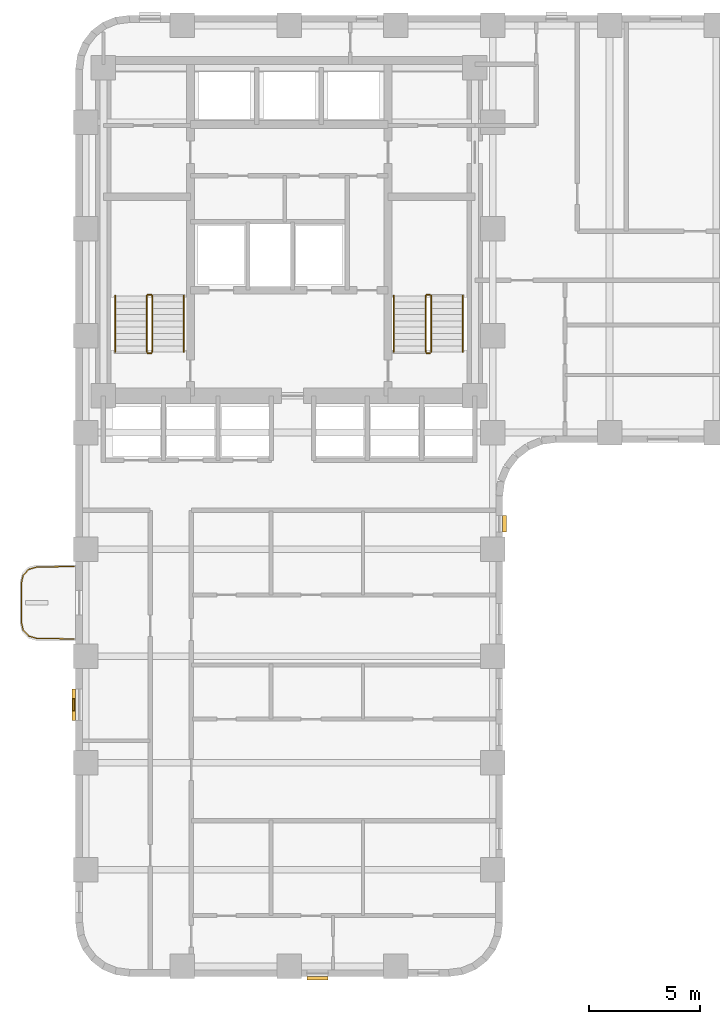
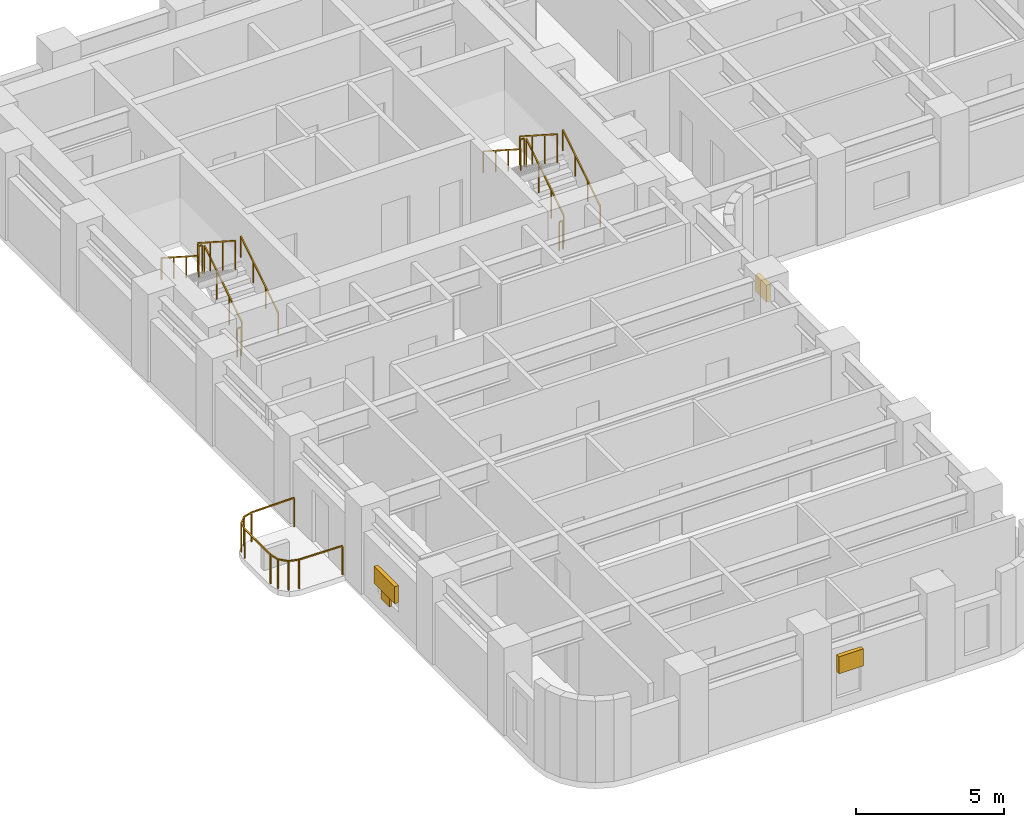
# One storey, part 8 of 10: 13 railings, 4 shading devices.
"""IFC4 building model written with IfcOpenShell, lengths in metres."""

from ifc_helpers import new_model, si_unit, direction, frame, origin, origin_2d, place, context, subcontext, project, spatial, rectangle, extrude, material, type_object, element, save


model = new_model("IFC4")

# Units and contexts
model_context = context("Model", 3, precision=1e-05, world=origin(), true_north=direction((0.0, 1.0)))
body_context = subcontext(model_context, "Body", "Model", "MODEL_VIEW")
ifc_project = project(units=[si_unit("LENGTHUNIT", "METRE"), si_unit("AREAUNIT", "SQUARE_METRE"), si_unit("VOLUMEUNIT", "CUBIC_METRE"), si_unit("PLANEANGLEUNIT", "RADIAN"), si_unit("MASSUNIT", "GRAM", prefix="KILO")], contexts=[model_context])

# Site, building, storey
site_placement = place(None, origin())
site = spatial("IfcSite", under=ifc_project, at=site_placement, CompositionType="ELEMENT")
building_placement = place(site_placement, origin())
building = spatial("IfcBuilding", under=site, at=building_placement, Name="Orvandelia Arch Residences", CompositionType="ELEMENT")
storey_placement = place(building_placement, frame((0.0, 0.0, 68.199951171875)))
storey = spatial("IfcBuildingStorey", under=building, at=storey_placement, Name="L17", CompositionType="ELEMENT", Elevation=68.199951171875)

# Railings
ifc_material_1 = material(Name="Marine-Grade Stainless Steel 316", Category="steel")
railing_type_1 = type_object("IfcRailingType", Name="GRD-BAL-1200", PredefinedType="BALUSTRADE", material=ifc_material_1)
railing_1_placement = place(storey_placement, frame((4.728271484375, 23.23046875, 0.0)))
element("IfcRailing", 1, at=railing_1_placement, inside=storey, type_object=railing_type_1, Name="Safety Balustrade Guard GRD-L17-BAL-L17-W1-1", PredefinedType="BALUSTRADE", context=body_context, shape_type="SweptSolid", body=[
    extrude(rectangle(XDim=0.048095703125, YDim=0.048095703125, at=origin_2d()), frame((0.0, 0.0, 1.19580078125), z_axis=(-0.999834751713, -0.018178813668, 0.0), x_axis=(0.018178813668, -0.999834751713, 0.0)), (0.0, 0.0, 1.0), 1.6787109375),
    extrude(rectangle(XDim=0.048095703125, YDim=0.048095703125, at=origin_2d()), frame((-1.678466796875, -0.030517578125, 1.19580078125), z_axis=(-0.96348920644, -0.267747173792, 0.0), x_axis=(0.267747173792, -0.96348920644, 0.0)), (0.0, 0.0, 1.0), 0.36572265625),
    extrude(rectangle(XDim=0.048095703125, YDim=0.048095703125, at=origin_2d()), frame((-2.03076171875, -0.12841796875, 1.19580078125), z_axis=(-0.688627404251, -0.725115368831, 0.0), x_axis=(0.725115368831, -0.688627404251, 0.0)), (0.0, 0.0, 1.0), 0.367919921875),
    extrude(rectangle(XDim=0.048095703125, YDim=0.048095703125, at=origin_2d()), frame((-2.2841796875, -0.395263671875, 1.19580078125), z_axis=(-0.220461657419, -0.975395641577, 0.0), x_axis=(0.975395641577, -0.220461657419, 0.0)), (0.0, 0.0, 1.0), 0.373291015625),
    extrude(rectangle(XDim=0.048095703125, YDim=0.048095703125, at=origin_2d()), frame((-2.366455078125, -0.75927734375, 1.19580078125), z_axis=(0.0, -1.0, 0.0), x_axis=(1.0, 0.0, 0.0)), (0.0, 0.0, 1.0), 1.742431640625),
    extrude(rectangle(XDim=0.048095703125, YDim=0.048095703125, at=origin_2d()), frame((-2.366455078125, -2.501708984375, 1.19580078125), z_axis=(0.220602419982, -0.975363815352, 0.0), x_axis=(0.975363815352, 0.220602419982, 0.0)), (0.0, 0.0, 1.0), 0.373046875),
    extrude(rectangle(XDim=0.048095703125, YDim=0.048095703125, at=origin_2d()), frame((-2.2841796875, -2.865478515625, 1.19580078125), z_axis=(0.688296224633, -0.725429739642, 0.0), x_axis=(0.725429739642, 0.688296224633, 0.0)), (0.0, 0.0, 1.0), 0.3681640625),
    extrude(rectangle(XDim=0.048095703125, YDim=0.048095703125, at=origin_2d()), frame((-2.03076171875, -3.132568359375, 1.19580078125), z_axis=(0.96348920644, -0.267747173792, 0.0), x_axis=(0.267747173792, 0.96348920644, 0.0)), (0.0, 0.0, 1.0), 0.36572265625),
    extrude(rectangle(XDim=0.048095703125, YDim=0.048095703125, at=origin_2d()), frame((-1.678466796875, -3.23046875, 1.19580078125), z_axis=(0.999834751713, -0.018178813668, 0.0), x_axis=(0.018178813668, 0.999834751713, 0.0)), (0.0, 0.0, 1.0), 1.6787109375),
    extrude(rectangle(XDim=0.0419921875, YDim=0.0419921875, at=origin_2d()), origin(), (0.0, 0.0, 1.0), 1.171875),
    extrude(rectangle(XDim=0.0419921875, YDim=0.0419921875, at=origin_2d()), frame((-1.678466796875, -0.030517578125, 0.0)), (0.0, 0.0, 1.0), 1.171875),
    extrude(rectangle(XDim=0.0419921875, YDim=0.0419921875, at=origin_2d()), frame((-2.03076171875, -0.12841796875, 0.0)), (0.0, 0.0, 1.0), 1.171875),
    extrude(rectangle(XDim=0.0419921875, YDim=0.0419921875, at=origin_2d()), frame((-2.2841796875, -0.395263671875, 0.0)), (0.0, 0.0, 1.0), 1.171875),
    extrude(rectangle(XDim=0.0419921875, YDim=0.0419921875, at=origin_2d()), frame((-2.366455078125, -0.75927734375, 0.0)), (0.0, 0.0, 1.0), 1.171875),
    extrude(rectangle(XDim=0.0419921875, YDim=0.0419921875, at=origin_2d()), frame((-2.366455078125, -2.501708984375, 0.0)), (0.0, 0.0, 1.0), 1.171875),
    extrude(rectangle(XDim=0.0419921875, YDim=0.0419921875, at=origin_2d()), frame((-2.2841796875, -2.865478515625, 0.0)), (0.0, 0.0, 1.0), 1.171875),
    extrude(rectangle(XDim=0.0419921875, YDim=0.0419921875, at=origin_2d()), frame((-2.03076171875, -3.132568359375, 0.0)), (0.0, 0.0, 1.0), 1.171875),
    extrude(rectangle(XDim=0.0419921875, YDim=0.0419921875, at=origin_2d()), frame((-1.678466796875, -3.23046875, 0.0)), (0.0, 0.0, 1.0), 1.171875),
    extrude(rectangle(XDim=0.0419921875, YDim=0.0419921875, at=origin_2d()), frame((0.0, -3.260986328125, 0.0)), (0.0, 0.0, 1.0), 1.171875),
])
ifc_material_2 = material(Name="Brushed Stainless Steel 304", Category="steel")
railing_type_2 = type_object("IfcRailingType", Name="RL-STAIR-GD1120", PredefinedType="GUARDRAIL", material=ifc_material_2)
railing_2_placement = place(storey_placement, frame((8.25, 32.8701171875, 0.179931640625)))
element("IfcRailing", 2, at=railing_2_placement, inside=storey, type_object=railing_type_2, Name="L17 ST-1 stair guard 1", PredefinedType="GUARDRAIL", context=body_context, shape_type="SweptSolid", body=[
    extrude(rectangle(XDim=0.048095703125, YDim=0.048095703125, at=origin_2d()), frame((0.0, 0.0, 1.17578125), z_axis=(0.0, 0.841138753965, 0.540819375188), x_axis=(-1.0, 0.0, 0.0)), (0.0, 0.0, 1.0), 2.99560546875),
    extrude(rectangle(XDim=0.0419921875, YDim=0.0419921875, at=origin_2d()), origin(), (0.0, 0.0, 1.0), 1.15185546875),
    extrude(rectangle(XDim=0.0419921875, YDim=0.0419921875, at=origin_2d()), frame((0.0, 0.83984375, 0.5400390625)), (0.0, 0.0, 1.0), 1.15185546875),
    extrude(rectangle(XDim=0.0419921875, YDim=0.0419921875, at=origin_2d()), frame((0.0, 1.679931640625, 1.080078125)), (0.0, 0.0, 1.0), 1.15185546875),
    extrude(rectangle(XDim=0.0419921875, YDim=0.0419921875, at=origin_2d()), frame((0.0, 2.519775390625, 1.6201171875)), (0.0, 0.0, 1.0), 1.15185546875),
])
railing_3_placement = place(storey_placement, frame((8.199951171875, 35.43994140625, 1.800048828125)))
element("IfcRailing", 3, at=railing_3_placement, inside=storey, type_object=railing_type_2, Name="L17 ST-1 stair guard 2", PredefinedType="GUARDRAIL", context=body_context, shape_type="SweptSolid", body=[
    extrude(rectangle(XDim=0.048095703125, YDim=0.048095703125, at=origin_2d()), frame((0.0, 0.0, 1.17578125), z_axis=(-1.0, 0.0, 0.0), x_axis=(0.0, -1.0, 0.0)), (0.0, 0.0, 1.0), 0.14990234375),
    extrude(rectangle(XDim=0.0419921875, YDim=0.0419921875, at=origin_2d()), origin(), (0.0, 0.0, 1.0), 1.15185546875),
    extrude(rectangle(XDim=0.0419921875, YDim=0.0419921875, at=origin_2d()), frame((-0.14990234375, 0.0, 0.0)), (0.0, 0.0, 1.0), 1.15185546875),
])
railing_4_placement = place(storey_placement, frame((8.0, 35.389892578125, 1.97998046875)))
element("IfcRailing", 4, at=railing_4_placement, inside=storey, type_object=railing_type_2, Name="L17 ST-1 stair guard 3", PredefinedType="GUARDRAIL", context=body_context, shape_type="SweptSolid", body=[
    extrude(rectangle(XDim=0.048095703125, YDim=0.048095703125, at=origin_2d()), frame((0.0, 0.0, 1.17578125), z_axis=(0.0, -0.841138753965, 0.540819375188), x_axis=(1.0, 0.0, 0.0)), (0.0, 0.0, 1.0), 2.99560546875),
    extrude(rectangle(XDim=0.0419921875, YDim=0.0419921875, at=origin_2d()), origin(), (0.0, 0.0, 1.0), 1.15185546875),
    extrude(rectangle(XDim=0.0419921875, YDim=0.0419921875, at=origin_2d()), frame((0.0, -0.83984375, 0.5400390625)), (0.0, 0.0, 1.0), 1.15185546875),
    extrude(rectangle(XDim=0.0419921875, YDim=0.0419921875, at=origin_2d()), frame((0.0, -1.679931640625, 1.080078125)), (0.0, 0.0, 1.0), 1.15185546875),
    extrude(rectangle(XDim=0.0419921875, YDim=0.0419921875, at=origin_2d()), frame((0.0, -2.519775390625, 1.6201171875)), (0.0, 0.0, 1.0), 1.15185546875),
])
railing_5_placement = place(storey_placement, frame((8.199951171875, 32.820068359375, 0.0)))
element("IfcRailing", 5, at=railing_5_placement, inside=storey, type_object=railing_type_2, Name="L17 ST-1 stair guard 4", PredefinedType="GUARDRAIL", context=body_context, shape_type="SweptSolid", body=[
    extrude(rectangle(XDim=0.048095703125, YDim=0.048095703125, at=origin_2d()), frame((0.0, 0.0, 1.17578125), z_axis=(-1.0, 0.0, 0.0), x_axis=(0.0, -1.0, 0.0)), (0.0, 0.0, 1.0), 0.14990234375),
    extrude(rectangle(XDim=0.0419921875, YDim=0.0419921875, at=origin_2d()), origin(), (0.0, 0.0, 1.0), 1.15185546875),
    extrude(rectangle(XDim=0.0419921875, YDim=0.0419921875, at=origin_2d()), frame((-0.14990234375, 0.0, 0.0)), (0.0, 0.0, 1.0), 1.15185546875),
])
railing_6_placement = place(storey_placement, frame((20.780029296875, 32.8701171875, 0.179931640625)))
element("IfcRailing", 6, at=railing_6_placement, inside=storey, type_object=railing_type_2, Name="L17 ST-2 stair guard 1", PredefinedType="GUARDRAIL", context=body_context, shape_type="SweptSolid", body=[
    extrude(rectangle(XDim=0.048095703125, YDim=0.048095703125, at=origin_2d()), frame((0.0, 0.0, 1.17578125), z_axis=(0.0, 0.841138753965, 0.540819375188), x_axis=(-1.0, 0.0, 0.0)), (0.0, 0.0, 1.0), 2.99560546875),
    extrude(rectangle(XDim=0.0419921875, YDim=0.0419921875, at=origin_2d()), origin(), (0.0, 0.0, 1.0), 1.15185546875),
    extrude(rectangle(XDim=0.0419921875, YDim=0.0419921875, at=origin_2d()), frame((0.0, 0.83984375, 0.5400390625)), (0.0, 0.0, 1.0), 1.15185546875),
    extrude(rectangle(XDim=0.0419921875, YDim=0.0419921875, at=origin_2d()), frame((0.0, 1.679931640625, 1.080078125)), (0.0, 0.0, 1.0), 1.15185546875),
    extrude(rectangle(XDim=0.0419921875, YDim=0.0419921875, at=origin_2d()), frame((0.0, 2.519775390625, 1.6201171875)), (0.0, 0.0, 1.0), 1.15185546875),
])
railing_7_placement = place(storey_placement, frame((20.72998046875, 35.43994140625, 1.800048828125)))
element("IfcRailing", 7, at=railing_7_placement, inside=storey, type_object=railing_type_2, Name="L17 ST-2 stair guard 2", PredefinedType="GUARDRAIL", context=body_context, shape_type="SweptSolid", body=[
    extrude(rectangle(XDim=0.048095703125, YDim=0.048095703125, at=origin_2d()), frame((0.0, 0.0, 1.17578125), z_axis=(-1.0, 0.0, 0.0), x_axis=(0.0, -1.0, 0.0)), (0.0, 0.0, 1.0), 0.14990234375),
    extrude(rectangle(XDim=0.0419921875, YDim=0.0419921875, at=origin_2d()), origin(), (0.0, 0.0, 1.0), 1.15185546875),
    extrude(rectangle(XDim=0.0419921875, YDim=0.0419921875, at=origin_2d()), frame((-0.14990234375, 0.0, 0.0)), (0.0, 0.0, 1.0), 1.15185546875),
])
railing_8_placement = place(storey_placement, frame((20.530029296875, 35.389892578125, 1.97998046875)))
element("IfcRailing", 8, at=railing_8_placement, inside=storey, type_object=railing_type_2, Name="L17 ST-2 stair guard 3", PredefinedType="GUARDRAIL", context=body_context, shape_type="SweptSolid", body=[
    extrude(rectangle(XDim=0.048095703125, YDim=0.048095703125, at=origin_2d()), frame((0.0, 0.0, 1.17578125), z_axis=(0.0, -0.841138753965, 0.540819375188), x_axis=(1.0, 0.0, 0.0)), (0.0, 0.0, 1.0), 2.99560546875),
    extrude(rectangle(XDim=0.0419921875, YDim=0.0419921875, at=origin_2d()), origin(), (0.0, 0.0, 1.0), 1.15185546875),
    extrude(rectangle(XDim=0.0419921875, YDim=0.0419921875, at=origin_2d()), frame((0.0, -0.83984375, 0.5400390625)), (0.0, 0.0, 1.0), 1.15185546875),
    extrude(rectangle(XDim=0.0419921875, YDim=0.0419921875, at=origin_2d()), frame((0.0, -1.679931640625, 1.080078125)), (0.0, 0.0, 1.0), 1.15185546875),
    extrude(rectangle(XDim=0.0419921875, YDim=0.0419921875, at=origin_2d()), frame((0.0, -2.519775390625, 1.6201171875)), (0.0, 0.0, 1.0), 1.15185546875),
])
railing_9_placement = place(storey_placement, frame((20.72998046875, 32.820068359375, 0.0)))
element("IfcRailing", 9, at=railing_9_placement, inside=storey, type_object=railing_type_2, Name="L17 ST-2 stair guard 4", PredefinedType="GUARDRAIL", context=body_context, shape_type="SweptSolid", body=[
    extrude(rectangle(XDim=0.048095703125, YDim=0.048095703125, at=origin_2d()), frame((0.0, 0.0, 1.17578125), z_axis=(-1.0, 0.0, 0.0), x_axis=(0.0, -1.0, 0.0)), (0.0, 0.0, 1.0), 0.14990234375),
    extrude(rectangle(XDim=0.0419921875, YDim=0.0419921875, at=origin_2d()), origin(), (0.0, 0.0, 1.0), 1.15185546875),
    extrude(rectangle(XDim=0.0419921875, YDim=0.0419921875, at=origin_2d()), frame((-0.14990234375, 0.0, 0.0)), (0.0, 0.0, 1.0), 1.15185546875),
])
railing_type_3 = type_object("IfcRailingType", Name="RL-STAIR-HR920", PredefinedType="HANDRAIL", material=ifc_material_2)
railing_10_placement = place(storey_placement, frame((9.669921875, 32.8701171875, 0.360107421875)))
element("IfcRailing", 10, at=railing_10_placement, inside=storey, type_object=railing_type_3, Name="L17 ST-1 stair handrail 1", PredefinedType="HANDRAIL", context=body_context, shape_type="SweptSolid", body=[
    extrude(rectangle(XDim=0.048095703125, YDim=0.048095703125, at=origin_2d()), frame((0.0, 0.0, 0.8759765625), z_axis=(0.0, 0.841175827307, 0.540761710511), x_axis=(-1.0, 0.0, 0.0)), (0.0, 0.0, 1.0), 2.99560546875),
    extrude(rectangle(XDim=0.0419921875, YDim=0.0419921875, at=origin_2d()), origin(), (0.0, 0.0, 1.0), 0.851806640625),
    extrude(rectangle(XDim=0.0419921875, YDim=0.0419921875, at=origin_2d()), frame((0.0, 0.83984375, 0.5400390625)), (0.0, 0.0, 1.0), 0.851806640625),
    extrude(rectangle(XDim=0.0419921875, YDim=0.0419921875, at=origin_2d()), frame((0.0, 1.679931640625, 1.079833984375)), (0.0, 0.0, 1.0), 0.851806640625),
    extrude(rectangle(XDim=0.0419921875, YDim=0.0419921875, at=origin_2d()), frame((0.0, 2.519775390625, 1.619873046875)), (0.0, 0.0, 1.0), 0.851806640625),
])
railing_11_placement = place(storey_placement, frame((6.580078125, 35.389892578125, 2.16015625)))
element("IfcRailing", 11, at=railing_11_placement, inside=storey, type_object=railing_type_3, Name="L17 ST-1 stair handrail 2", PredefinedType="HANDRAIL", context=body_context, shape_type="SweptSolid", body=[
    extrude(rectangle(XDim=0.048095703125, YDim=0.048095703125, at=origin_2d()), frame((0.0, 0.0, 0.8759765625), z_axis=(0.0, -0.841175827307, 0.540761710511), x_axis=(1.0, 0.0, 0.0)), (0.0, 0.0, 1.0), 2.99560546875),
    extrude(rectangle(XDim=0.0419921875, YDim=0.0419921875, at=origin_2d()), origin(), (0.0, 0.0, 1.0), 0.851806640625),
    extrude(rectangle(XDim=0.0419921875, YDim=0.0419921875, at=origin_2d()), frame((0.0, -0.83984375, 0.5400390625)), (0.0, 0.0, 1.0), 0.851806640625),
    extrude(rectangle(XDim=0.0419921875, YDim=0.0419921875, at=origin_2d()), frame((0.0, -1.679931640625, 1.079833984375)), (0.0, 0.0, 1.0), 0.851806640625),
    extrude(rectangle(XDim=0.0419921875, YDim=0.0419921875, at=origin_2d()), frame((0.0, -2.519775390625, 1.619873046875)), (0.0, 0.0, 1.0), 0.851806640625),
])
railing_12_placement = place(storey_placement, frame((22.199951171875, 32.8701171875, 0.360107421875)))
element("IfcRailing", 12, at=railing_12_placement, inside=storey, type_object=railing_type_3, Name="L17 ST-2 stair handrail 1", PredefinedType="HANDRAIL", context=body_context, shape_type="SweptSolid", body=[
    extrude(rectangle(XDim=0.048095703125, YDim=0.048095703125, at=origin_2d()), frame((0.0, 0.0, 0.8759765625), z_axis=(0.0, 0.841175827307, 0.540761710511), x_axis=(-1.0, 0.0, 0.0)), (0.0, 0.0, 1.0), 2.99560546875),
    extrude(rectangle(XDim=0.0419921875, YDim=0.0419921875, at=origin_2d()), origin(), (0.0, 0.0, 1.0), 0.851806640625),
    extrude(rectangle(XDim=0.0419921875, YDim=0.0419921875, at=origin_2d()), frame((0.0, 0.83984375, 0.5400390625)), (0.0, 0.0, 1.0), 0.851806640625),
    extrude(rectangle(XDim=0.0419921875, YDim=0.0419921875, at=origin_2d()), frame((0.0, 1.679931640625, 1.079833984375)), (0.0, 0.0, 1.0), 0.851806640625),
    extrude(rectangle(XDim=0.0419921875, YDim=0.0419921875, at=origin_2d()), frame((0.0, 2.519775390625, 1.619873046875)), (0.0, 0.0, 1.0), 0.851806640625),
])
railing_13_placement = place(storey_placement, frame((19.110107421875, 35.389892578125, 2.16015625)))
element("IfcRailing", 13, at=railing_13_placement, inside=storey, type_object=railing_type_3, Name="L17 ST-2 stair handrail 2", PredefinedType="HANDRAIL", context=body_context, shape_type="SweptSolid", body=[
    extrude(rectangle(XDim=0.048095703125, YDim=0.048095703125, at=origin_2d()), frame((0.0, 0.0, 0.8759765625), z_axis=(0.0, -0.841175827307, 0.540761710511), x_axis=(1.0, 0.0, 0.0)), (0.0, 0.0, 1.0), 2.99560546875),
    extrude(rectangle(XDim=0.0419921875, YDim=0.0419921875, at=origin_2d()), origin(), (0.0, 0.0, 1.0), 0.851806640625),
    extrude(rectangle(XDim=0.0419921875, YDim=0.0419921875, at=origin_2d()), frame((0.0, -0.83984375, 0.5400390625)), (0.0, 0.0, 1.0), 0.851806640625),
    extrude(rectangle(XDim=0.0419921875, YDim=0.0419921875, at=origin_2d()), frame((0.0, -1.679931640625, 1.079833984375)), (0.0, 0.0, 1.0), 0.851806640625),
    extrude(rectangle(XDim=0.0419921875, YDim=0.0419921875, at=origin_2d()), frame((0.0, -2.519775390625, 1.619873046875)), (0.0, 0.0, 1.0), 0.851806640625),
])

# Shading devices
ifc_material_3 = material(Name="Anodised Champagne-Bronze Extruded Aluminium", Category="aluminium")
shading_device_type_1 = type_object("IfcShadingDeviceType", Name="SHD-JALOUSIE-SCREEN", PredefinedType="JALOUSIE", material=ifc_material_3)
shading_device_1_placement = place(storey_placement, frame((24.080078125, 25.14501953125, 1.55029296875), z_axis=(0.0, 0.0, 1.0), x_axis=(0.0, -1.0, 0.0)))
element("IfcShadingDevice", 14, at=shading_device_1_placement, inside=storey, type_object=shading_device_type_1, Name="Bronze Jalousie Sun-Shade L17-007", PredefinedType="JALOUSIE", context=body_context, shape_type="SweptSolid", body=[
    extrude(rectangle(XDim=0.75, YDim=0.159912109375, at=origin_2d()), origin(), (0.0, 0.0, 1.0), 0.699951171875),
])
shading_device_2_placement = place(storey_placement, frame((15.674560546875, 4.719970703125, 1.55029296875), z_axis=(0.0, 0.0, 1.0), x_axis=(-1.0, 0.0, 0.0)))
element("IfcShadingDevice", 15, at=shading_device_2_placement, inside=storey, type_object=shading_device_type_1, Name="Bronze Jalousie Sun-Shade L17-008", PredefinedType="JALOUSIE", context=body_context, shape_type="SweptSolid", body=[
    extrude(rectangle(XDim=0.949951171875, YDim=0.159912109375, at=origin_2d()), origin(), (0.0, 0.0, 1.0), 0.699951171875),
])
shading_device_3_placement = place(storey_placement, frame((4.719970703125, 17.014892578125, 1.05029296875), z_axis=(0.0, 0.0, 1.0), x_axis=(0.0, 1.0, 0.0)))
element("IfcShadingDevice", 16, at=shading_device_3_placement, inside=storey, type_object=shading_device_type_1, Name="Bronze Jalousie Sun-Shade L17-009", PredefinedType="JALOUSIE", context=body_context, shape_type="SweptSolid", body=[
    extrude(rectangle(XDim=1.39990234375, YDim=0.159912109375, at=origin_2d()), origin(), (0.0, 0.0, 1.0), 0.699951171875),
])
ifc_material_4 = material(Name="Marine-Grade Perforated Aluminium Storm Shutter", Category="aluminium")
shading_device_type_2 = type_object("IfcShadingDeviceType", Name="SHD-STORM-SHUTTER", PredefinedType="SHUTTER", material=ifc_material_4)
shading_device_4_placement = place(storey_placement, frame((4.719970703125, 17.014892578125, 0.64990234375), z_axis=(0.0, 0.0, 1.0), x_axis=(0.0, 1.0, 0.0)))
element("IfcShadingDevice", 17, at=shading_device_4_placement, inside=storey, type_object=shading_device_type_2, Name="Operable Typhoon Storm Shutter L17-009", PredefinedType="SHUTTER", context=body_context, shape_type="SweptSolid", body=[
    extrude(rectangle(XDim=0.550048828125, YDim=0.080078125, at=origin_2d()), origin(), (0.0, 0.0, 1.0), 1.10009765625),
])

save(model, "model.ifc")
